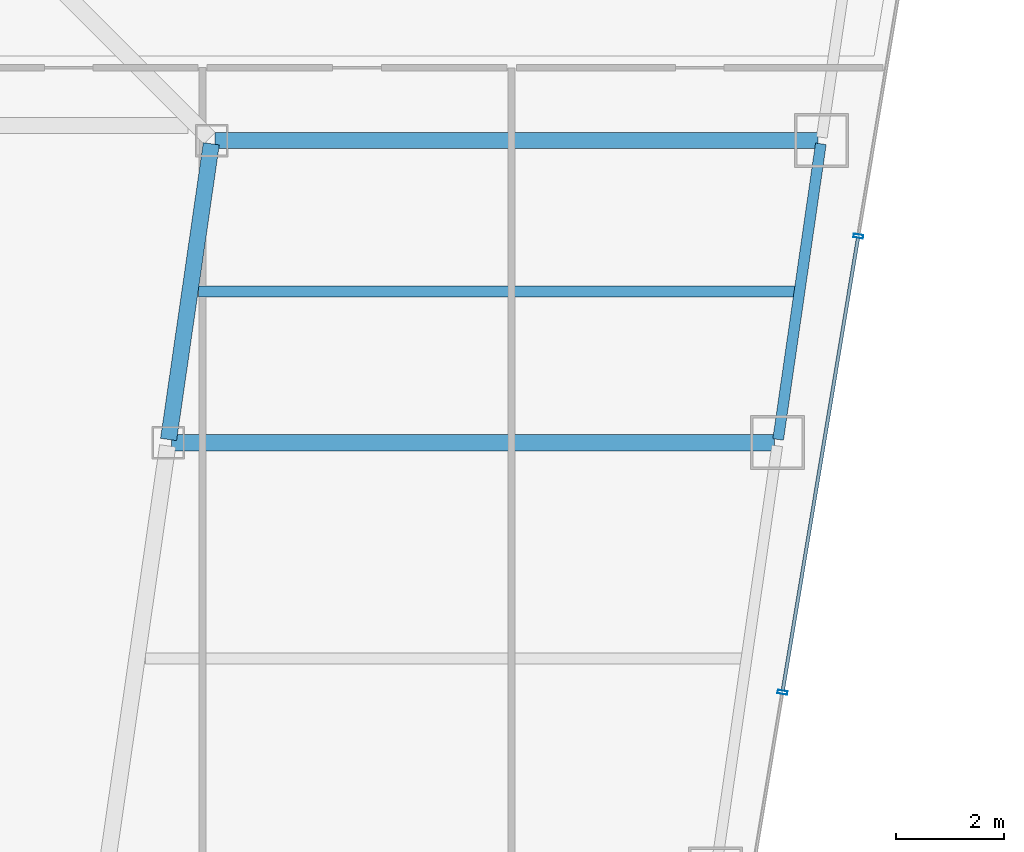
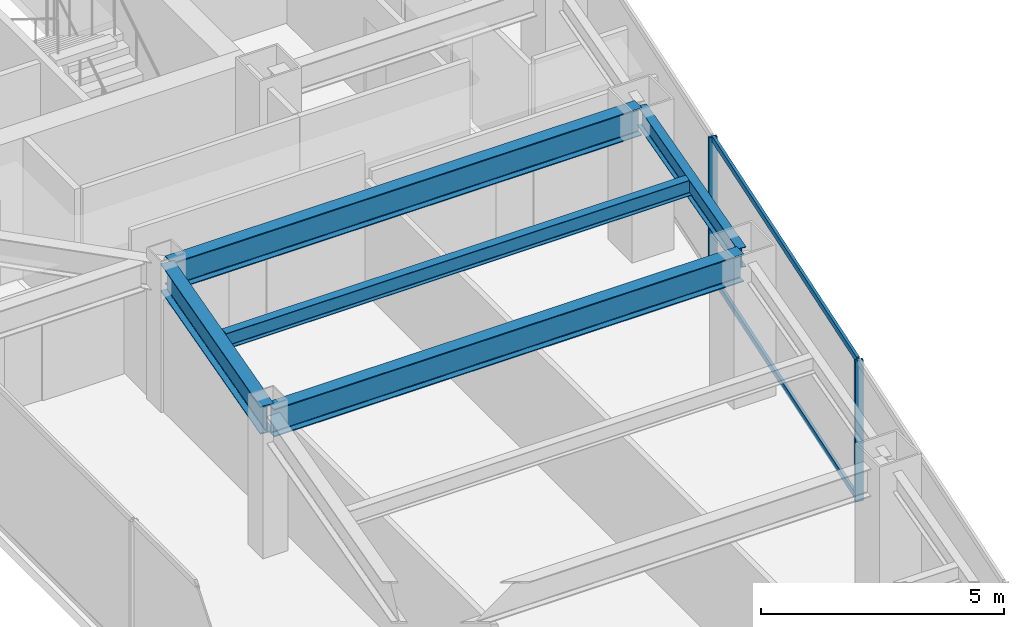
# One storey, part 22 of 40: 5 beams, 4 members, 1 element without a shape of its own.
"""IFC4 building model written with IfcOpenShell, lengths in metres."""

from ifc_helpers import new_model, si_unit, direction, frame, origin, origin_2d, place, context, subcontext, project, spatial, hollow_rectangle, i_section, extrude, material, material_profile, profile_set, type_object, element, aggregate, save


model = new_model("IFC4")

# Units and contexts
model_context = context("Model", 3, precision=1e-05, world=origin(), true_north=direction((0.0, 1.0)))
body_context = subcontext(model_context, "Body", "Model", "MODEL_VIEW")
ifc_project = project(units=[si_unit("LENGTHUNIT", "METRE"), si_unit("AREAUNIT", "SQUARE_METRE"), si_unit("VOLUMEUNIT", "CUBIC_METRE"), si_unit("PLANEANGLEUNIT", "RADIAN"), si_unit("MASSUNIT", "GRAM", prefix="KILO")], contexts=[model_context])

# Site, building, storey
site_placement = place(None, origin())
site = spatial("IfcSite", under=ifc_project, at=site_placement, CompositionType="ELEMENT")
building_placement = place(site_placement, origin())
building = spatial("IfcBuilding", under=site, at=building_placement, Name="Saevonmaru Cultural Tower", CompositionType="ELEMENT")
storey_placement = place(building_placement, frame((0.0, 0.0, 129.60009765625)))
storey = spatial("IfcBuildingStorey", under=building, at=storey_placement, Name="L27", CompositionType="ELEMENT", Elevation=129.60009765625)

# Beams
ifc_material_1 = material(Name="Steel SM355", Category="steel")
ifc_material_profile_1 = material_profile(ifc_material_1, i_section(OverallWidth=0.300048828125, OverallDepth=0.699951171875, WebThickness=0.012939453125, FlangeThickness=0.02392578125, FilletRadius=0.02587890625, at=origin_2d()), Name="H-700x300x13x24")
ifc_profile_set_1 = profile_set([ifc_material_profile_1], Name="Steel SM355")
beam_type_1 = type_object("IfcBeamType", Name="BM-G-H700", PredefinedType="BEAM", material=ifc_profile_set_1)
beam_1_placement = place(storey_placement, frame((40.3916015625, 32.059326171875, 3.199951171875), z_axis=(0.142964121327, 0.989727871697, 0.0), x_axis=(-0.989727871697, 0.142964121327, 0.0)))
element("IfcBeam", 1, at=beam_1_placement, inside=storey, type_object=beam_type_1, Name="L27 East Atrium Girder 4", PredefinedType="BEAM", context=body_context, shape_type="SweptSolid", body=[
    extrude(i_section(OverallWidth=0.300048828125, OverallDepth=0.699951171875, WebThickness=0.012939453125, FlangeThickness=0.02392578125, FilletRadius=0.02587890625, at=origin_2d()), origin(), (0.0, 0.0, 1.0), 5.5380859375),
])
for number, where, z_axis, x_axis, name in (
    (2, (40.443115234375, 32.0, 3.199951171875), (1.0, 0.0, 0.0), (0.0, 1.0, 0.0), "L27 East Wing Transverse Girder 4"),
    (3, (41.251953125, 37.60009765625, 3.199951171875), (1.0, 0.0, 0.0), (0.0, 1.0, 0.0), "L27 East Wing Transverse Girder 5"),
):
    element("IfcBeam", number, at=place(storey_placement, frame(where, z_axis=z_axis, x_axis=x_axis)), inside=storey, type_object=beam_type_1, Name=name, PredefinedType="BEAM", context=body_context, shape_type="SweptSolid", body=[
        extrude(i_section(OverallWidth=0.300048828125, OverallDepth=0.699951171875, WebThickness=0.012939453125, FlangeThickness=0.02392578125, FilletRadius=0.02587890625, at=origin_2d()), origin(), (0.0, 0.0, 1.0), 11.179931640625),
    ])
ifc_material_profile_2 = material_profile(ifc_material_1, i_section(OverallWidth=0.199951171875, OverallDepth=0.39990234375, WebThickness=0.008056640625, FlangeThickness=0.012939453125, FilletRadius=0.01611328125, at=origin_2d()), Name="H-400x200x8x13")
ifc_profile_set_2 = profile_set([ifc_material_profile_2], Name="Steel SM355")
beam_type_2 = type_object("IfcBeamType", Name="BM-J-H400", PredefinedType="JOIST", material=ifc_profile_set_2)
beam_2_placement = place(storey_placement, frame((40.945556640625, 34.800048828125, 3.349853515625), z_axis=(1.0, 0.0, 0.0), x_axis=(0.0, 1.0, 0.0)))
element("IfcBeam", 4, at=beam_2_placement, inside=storey, type_object=beam_type_2, Name="L27 East Wing Floor Joist 4", PredefinedType="JOIST", context=body_context, shape_type="SweptSolid", body=[
    extrude(i_section(OverallWidth=0.199951171875, OverallDepth=0.39990234375, WebThickness=0.008056640625, FlangeThickness=0.012939453125, FilletRadius=0.01611328125, at=origin_2d()), origin(), (0.0, 0.0, 1.0), 11.08203125),
])
ifc_material_profile_3 = material_profile(ifc_material_1, i_section(OverallWidth=0.199951171875, OverallDepth=0.5, WebThickness=0.010009765625, FlangeThickness=0.01611328125, FilletRadius=0.02001953125, at=origin_2d()), Name="H-500x200x10x16")
ifc_profile_set_3 = profile_set([ifc_material_profile_3], Name="Steel SM355")
beam_type_3 = type_object("IfcBeamType", Name="BM-SP-H500", PredefinedType="SPANDREL", material=ifc_profile_set_3)
beam_3_placement = place(storey_placement, frame((51.691650390625, 32.059326171875, 3.2998046875), z_axis=(0.142964121327, 0.989727871697, 0.0), x_axis=(-0.989727871697, 0.142964121327, 0.0)))
element("IfcBeam", 5, at=beam_3_placement, inside=storey, type_object=beam_type_3, Name="L27 East Splayed Spandrel 4", PredefinedType="SPANDREL", context=body_context, shape_type="SweptSolid", body=[
    extrude(i_section(OverallWidth=0.199951171875, OverallDepth=0.5, WebThickness=0.010009765625, FlangeThickness=0.01611328125, FilletRadius=0.02001953125, at=origin_2d()), origin(), (0.0, 0.0, 1.0), 5.5380859375),
])

# Curtain wall, members
ifc_material_2 = material(Name="Satin Bronze Anodised Aluminium", Category="aluminium")
curtain_wall_type = type_object("IfcCurtainWallType", Name="CW-SKY-GLZ", PredefinedType="NOTDEFINED", material=ifc_material_2)
curtain_wall_placement = place(storey_placement, origin())
curtain_wall = element("IfcCurtainWall", 6, at=curtain_wall_placement, inside=storey, type_object=curtain_wall_type, Name="L27 Unitised Curtain Wall E8", PredefinedType="NOTDEFINED")
ifc_material_profile_4 = material_profile(ifc_material_2, hollow_rectangle(XDim=0.06494140625, YDim=0.179931640625, WallThickness=0.00390625, at=origin_2d()), Name="ALU-MULL-180x65x4")
ifc_profile_set_4 = profile_set([ifc_material_profile_4], Name="Satin Bronze Anodised Aluminium")
member_type_1 = type_object("IfcMemberType", Name="ML-CW-180x65", PredefinedType="MULLION", material=ifc_profile_set_4)
member_1_placement = place(storey_placement, frame((51.772705078125, 27.371826171875, 0.0), z_axis=(0.0, 0.0, 1.0), x_axis=(0.163998702345, 0.986460554523, 0.0)))
member_1 = element("IfcMember", 7, at=member_1_placement, type_object=member_type_1, Name="CW-TW-L27-E8 mullion 3", PredefinedType="MULLION", context=body_context, shape_type="SweptSolid", body=[
    extrude(hollow_rectangle(XDim=0.06494140625, YDim=0.179931640625, WallThickness=0.00390625, at=origin_2d()), origin(), (0.0, 0.0, 1.0), 3.5498046875),
])
member_2_placement = place(storey_placement, frame((53.178466796875, 35.828125, 0.0), z_axis=(0.0, 0.0, 1.0), x_axis=(0.163998702345, 0.986460554523, 0.0)))
member_2 = element("IfcMember", 8, at=member_2_placement, type_object=member_type_1, Name="CW-TW-L27-E8 mullion 4", PredefinedType="MULLION", context=body_context, shape_type="SweptSolid", body=[
    extrude(hollow_rectangle(XDim=0.06494140625, YDim=0.179931640625, WallThickness=0.00390625, at=origin_2d()), origin(), (0.0, 0.0, 1.0), 3.5498046875),
])
ifc_material_profile_5 = material_profile(ifc_material_2, hollow_rectangle(XDim=0.06494140625, YDim=0.14990234375, WallThickness=0.00390625, at=origin_2d()), Name="ALU-TRAN-150x65x4")
ifc_profile_set_5 = profile_set([ifc_material_profile_5], Name="Satin Bronze Anodised Aluminium")
member_type_2 = type_object("IfcMemberType", Name="TR-CW-150x65", PredefinedType="USERDEFINED", material=ifc_profile_set_5)
member_3_placement = place(storey_placement, frame((51.77783203125, 27.40380859375, 0.032470703125), z_axis=(0.164003420685, 0.986459770089, 0.0), x_axis=(-0.986459770089, 0.164003420685, 0.0)))
member_3 = element("IfcMember", 9, at=member_3_placement, type_object=member_type_2, Name="CW-TW-L27-E8 transom 3.1", ObjectType="TRANSOM", PredefinedType="USERDEFINED", context=body_context, shape_type="SweptSolid", body=[
    extrude(hollow_rectangle(XDim=0.06494140625, YDim=0.14990234375, WallThickness=0.00390625, at=origin_2d()), origin(), (0.0, 0.0, 1.0), 8.507568359375),
])
member_4_placement = place(storey_placement, frame((51.77783203125, 27.40380859375, 3.517333984375), z_axis=(0.164003420685, 0.986459770089, 0.0), x_axis=(-0.986459770089, 0.164003420685, 0.0)))
member_4 = element("IfcMember", 10, at=member_4_placement, type_object=member_type_2, Name="CW-TW-L27-E8 transom 3.2", ObjectType="TRANSOM", PredefinedType="USERDEFINED", context=body_context, shape_type="SweptSolid", body=[
    extrude(hollow_rectangle(XDim=0.06494140625, YDim=0.14990234375, WallThickness=0.00390625, at=origin_2d()), origin(), (0.0, 0.0, 1.0), 8.507568359375),
])
aggregate(curtain_wall, [member_1, member_2, member_3, member_4])

save(model, "model.ifc")
